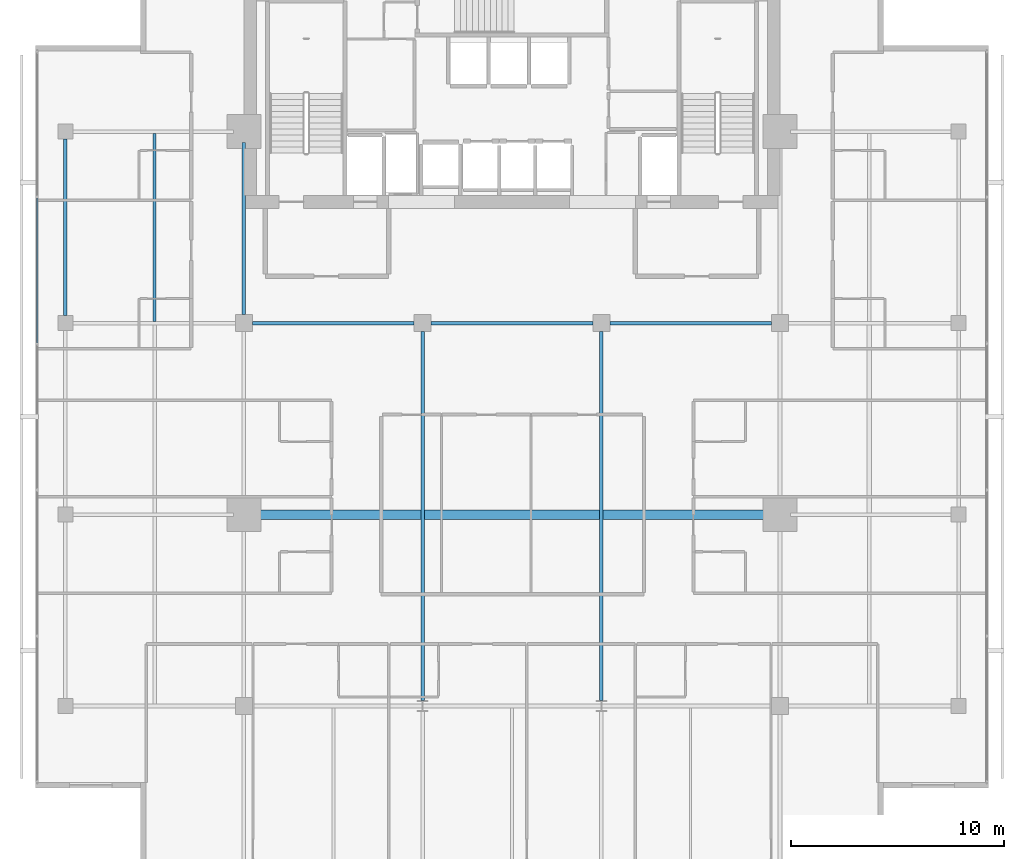
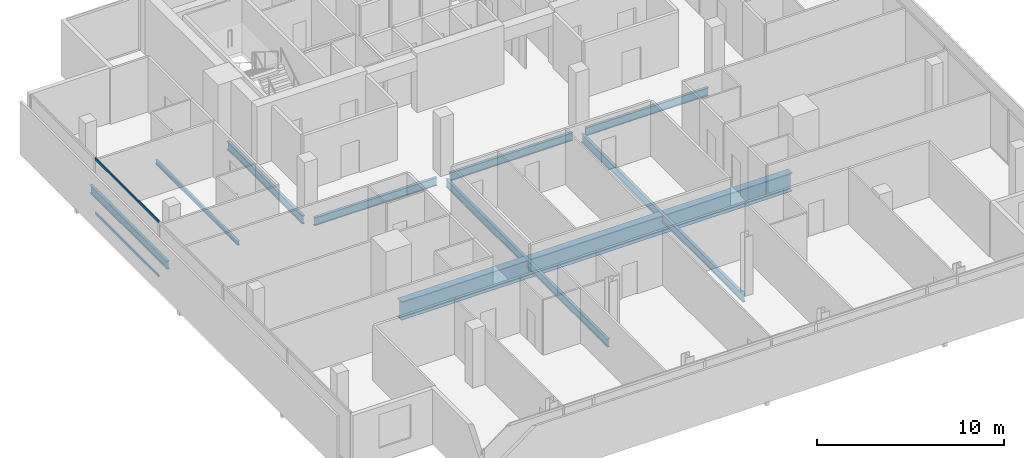
# One storey, part 9 of 25: 9 beams, 2 members, 1 element without a shape of its own.
"""IFC4 building model written with IfcOpenShell, lengths in metres."""

from ifc_helpers import new_model, si_unit, direction, frame, origin, origin_2d, place, context, subcontext, project, spatial, hollow_rectangle, i_section, extrude, material, layer, layer_set, material_profile, profile_set, type_object, element, aggregate, save


model = new_model("IFC4")

# Units and contexts
model_context = context("Model", 3, precision=1e-05, world=origin(), true_north=direction((0.0, 1.0)))
body_context = subcontext(model_context, "Body", "Model", "MODEL_VIEW")
ifc_project = project(units=[si_unit("LENGTHUNIT", "METRE"), si_unit("AREAUNIT", "SQUARE_METRE"), si_unit("VOLUMEUNIT", "CUBIC_METRE"), si_unit("PLANEANGLEUNIT", "RADIAN"), si_unit("MASSUNIT", "GRAM", prefix="KILO")], contexts=[model_context])

# Site, building, storey
site_placement = place(None, origin())
site = spatial("IfcSite", under=ifc_project, at=site_placement, CompositionType="ELEMENT")
building_placement = place(site_placement, origin())
building = spatial("IfcBuilding", under=site, at=building_placement, Name="Maruvema Waterfront Hotel and Observation Tower", CompositionType="ELEMENT")
storey_placement = place(building_placement, frame((0.0, 0.0, 297.14990234375)))
storey = spatial("IfcBuildingStorey", under=building, at=storey_placement, Name="L73", CompositionType="ELEMENT", Elevation=297.14990234375)

# Curtain wall, members
ifc_material_1 = material(Name="Anodised bronze aluminium and solar-control low-E IGU", Category="aluminium")
ifc_layer = layer(ifc_material_1, 0.159912109375, Name="Zone 3 Champagne Inner Thermal Curtain Wall System CW-04")
ifc_layer_set = layer_set([ifc_layer], Name="Anodised bronze aluminium and solar-control low-E IGU")
curtain_wall_type = type_object("IfcCurtainWallType", Name="Zone 3 Champagne Inner Thermal Curtain Wall System CW-04", PredefinedType="USERDEFINED", material=ifc_layer_set)
curtain_wall_placement = place(storey_placement, origin())
curtain_wall = element("IfcCurtainWall", 1, at=curtain_wall_placement, inside=storey, type_object=curtain_wall_type, Name="L73 Curtain Wall CW-L73-W", ObjectType="UNITISED CURTAIN WALL", PredefinedType="USERDEFINED")
ifc_material_2 = material(Name="Anodised architectural bronze aluminium", Category="aluminium")
ifc_material_profile_1 = material_profile(ifc_material_2, hollow_rectangle(XDim=0.070068359375, YDim=0.14990234375, WallThickness=0.00390625, at=origin_2d()), Name="ALU-T70x150")
ifc_profile_set_1 = profile_set([ifc_material_profile_1], Name="Anodised architectural bronze aluminium")
member_type = type_object("IfcMemberType", Name="Curtain Wall Horizontal Transom ALU-T70x150", PredefinedType="USERDEFINED", material=ifc_profile_set_1)
member_1_placement = place(storey_placement, frame((15.47998046875, 41.889892578125, 0.030029296875), z_axis=(0.0, -1.0, 0.0), x_axis=(1.0, 0.0, 0.0)))
member_1 = element("IfcMember", 2, at=member_1_placement, type_object=member_type, Name="CW-04 transom 2.1", ObjectType="TRANSOM", PredefinedType="USERDEFINED", context=body_context, shape_type="SweptSolid", body=[
    extrude(hollow_rectangle(XDim=0.070068359375, YDim=0.14990234375, WallThickness=0.00390625, at=origin_2d()), origin(), (0.0, 0.0, 1.0), 6.81982421875),
])
member_2_placement = place(storey_placement, frame((15.47998046875, 41.889892578125, 3.580078125), z_axis=(0.0, -1.0, 0.0), x_axis=(1.0, 0.0, 0.0)))
member_2 = element("IfcMember", 3, at=member_2_placement, type_object=member_type, Name="CW-04 transom 2.2", ObjectType="TRANSOM", PredefinedType="USERDEFINED", context=body_context, shape_type="SweptSolid", body=[
    extrude(hollow_rectangle(XDim=0.070068359375, YDim=0.14990234375, WallThickness=0.00390625, at=origin_2d()), origin(), (0.0, 0.0, 1.0), 6.81982421875),
])
aggregate(curtain_wall, [member_1, member_2])

# Beams
ifc_material_3 = material(Name="Steel ASTM A572 Grade 50", Category="steel")
ifc_material_profile_2 = material_profile(ifc_material_3, i_section(OverallWidth=0.166015625, OverallDepth=0.529052734375, WebThickness=0.009765625, FlangeThickness=0.013671875, FilletRadius=0.014892578125, at=origin_2d()), Name="W530x74.0")
ifc_profile_set_2 = profile_set([ifc_material_profile_2], Name="Steel ASTM A572 Grade 50")
beam_type_1 = type_object("IfcBeamType", Name="Primary Floor Girder W530x74.0", PredefinedType="BEAM", material=ifc_profile_set_2)
beam_1_placement = place(storey_placement, frame((25.60009765625, 36.0, -0.50439453125), z_axis=(1.0, 0.0, 0.0), x_axis=(0.0, 1.0, 0.0)))
element("IfcBeam", 4, at=beam_1_placement, inside=storey, type_object=beam_type_1, Name="L73 Floor Girder EW-13", PredefinedType="BEAM", context=body_context, shape_type="SweptSolid", body=[
    extrude(i_section(OverallWidth=0.166015625, OverallDepth=0.529052734375, WebThickness=0.009765625, FlangeThickness=0.013671875, FilletRadius=0.014892578125, at=origin_2d()), origin(), (0.0, 0.0, 1.0), 7.599853515625),
])
for number, where, z_axis, x_axis, name in (
    (5, (34.0, 36.0, -0.50439453125), (1.0, 0.0, 0.0), (0.0, 1.0, 0.0), "L73 Floor Girder EW-14"),
    (6, (42.39990234375, 36.0, -0.50439453125), (1.0, 0.0, 0.0), (0.0, 1.0, 0.0), "L73 Floor Girder EW-15"),
):
    element("IfcBeam", number, at=place(storey_placement, frame(where, z_axis=z_axis, x_axis=x_axis)), inside=storey, type_object=beam_type_1, Name=name, PredefinedType="BEAM", context=body_context, shape_type="SweptSolid", body=[
        extrude(i_section(OverallWidth=0.166015625, OverallDepth=0.529052734375, WebThickness=0.009765625, FlangeThickness=0.013671875, FilletRadius=0.014892578125, at=origin_2d()), origin(), (0.0, 0.0, 1.0), 7.60009765625),
    ])
beam_2_placement = place(storey_placement, frame((16.800048828125, 36.35009765625, -0.50439453125), z_axis=(0.0, 1.0, 0.0), x_axis=(-1.0, 0.0, 0.0)))
element("IfcBeam", 7, at=beam_2_placement, inside=storey, type_object=beam_type_1, Name="L73 Floor Girder NS-03", PredefinedType="BEAM", context=body_context, shape_type="SweptSolid", body=[
    extrude(i_section(OverallWidth=0.166015625, OverallDepth=0.529052734375, WebThickness=0.009765625, FlangeThickness=0.013671875, FilletRadius=0.014892578125, at=origin_2d()), origin(), (0.0, 0.0, 1.0), 8.2998046875),
])
beam_3_placement = place(storey_placement, frame((25.199951171875, 36.39990234375, -0.50439453125), z_axis=(0.0, 1.0, 0.0), x_axis=(-1.0, 0.0, 0.0)))
element("IfcBeam", 8, at=beam_3_placement, inside=storey, type_object=beam_type_1, Name="L73 Floor Girder NS-07", PredefinedType="BEAM", context=body_context, shape_type="SweptSolid", body=[
    extrude(i_section(OverallWidth=0.166015625, OverallDepth=0.529052734375, WebThickness=0.009765625, FlangeThickness=0.013671875, FilletRadius=0.014892578125, at=origin_2d()), origin(), (0.0, 0.0, 1.0), 8.10009765625),
])
for number, where, z_axis, x_axis, name in (
    (9, (33.60009765625, 18.25, -0.50439453125), (0.0, 1.0, 0.0), (-1.0, 0.0, 0.0), "L73 Floor Girder NS-09"),
    (10, (42.0, 18.25, -0.50439453125), (0.0, 1.0, 0.0), (-1.0, 0.0, 0.0), "L73 Floor Girder NS-11"),
):
    element("IfcBeam", number, at=place(storey_placement, frame(where, z_axis=z_axis, x_axis=x_axis)), inside=storey, type_object=beam_type_1, Name=name, PredefinedType="BEAM", context=body_context, shape_type="SweptSolid", body=[
        extrude(i_section(OverallWidth=0.166015625, OverallDepth=0.529052734375, WebThickness=0.009765625, FlangeThickness=0.013671875, FilletRadius=0.014892578125, at=origin_2d()), origin(), (0.0, 0.0, 1.0), 17.35009765625),
    ])
ifc_material_4 = material(Name="Steel ASTM A572 Grade 50", Category="steel")
ifc_material_profile_3 = material_profile(ifc_material_4, i_section(OverallWidth=0.14794921875, OverallDepth=0.26611328125, WebThickness=0.007568359375, FlangeThickness=0.012939453125, FilletRadius=0.012939453125, at=origin_2d()), Name="W250x44.8")
ifc_profile_set_3 = profile_set([ifc_material_profile_3], Name="Steel ASTM A572 Grade 50")
beam_type_2 = type_object("IfcBeamType", Name="Secondary Floor Joist W250x44.8", PredefinedType="JOIST", material=ifc_profile_set_3)
beam_4_placement = place(storey_placement, frame((21.0, 36.0830078125, -0.372802734375), z_axis=(0.0, 1.0, 0.0), x_axis=(-1.0, 0.0, 0.0)))
element("IfcBeam", 11, at=beam_4_placement, inside=storey, type_object=beam_type_2, Name="L73 Secondary Floor Joist JS-03", PredefinedType="JOIST", context=body_context, shape_type="SweptSolid", body=[
    extrude(i_section(OverallWidth=0.14794921875, OverallDepth=0.26611328125, WebThickness=0.007568359375, FlangeThickness=0.012939453125, FilletRadius=0.012939453125, at=origin_2d()), origin(), (0.0, 0.0, 1.0), 8.833984375),
])
ifc_material_5 = material(Name="Steel ABNT NBR 7007 AR 415 (ASTM A572 Grade 50)", Category="steel")
ifc_material_profile_4 = material_profile(ifc_material_5, i_section(OverallWidth=0.449951171875, OverallDepth=1.199951171875, WebThickness=0.01904296875, FlangeThickness=0.031982421875, at=origin_2d()), Name="VS1200x366")
ifc_profile_set_4 = profile_set([ifc_material_profile_4], Name="Steel ABNT NBR 7007 AR 415 (ASTM A572 Grade 50)")
beam_type_3 = type_object("IfcBeamType", Name="Upper Setback Transfer Girder VS1200x366", PredefinedType="USERDEFINED", material=ifc_profile_set_4)
beam_5_placement = place(storey_placement, frame((25.699951171875, 27.0, -0.83984375), z_axis=(1.0, 0.0, 0.0), x_axis=(0.0, 1.0, 0.0)))
element("IfcBeam", 12, at=beam_5_placement, inside=storey, type_object=beam_type_3, Name="L73 Floor Girder EW-10", ObjectType="TRANSFER GIRDER", PredefinedType="USERDEFINED", context=body_context, shape_type="SweptSolid", body=[
    extrude(i_section(OverallWidth=0.449951171875, OverallDepth=1.199951171875, WebThickness=0.01904296875, FlangeThickness=0.031982421875, at=origin_2d()), origin(), (0.0, 0.0, 1.0), 24.199951171875),
])

save(model, "model.ifc")
